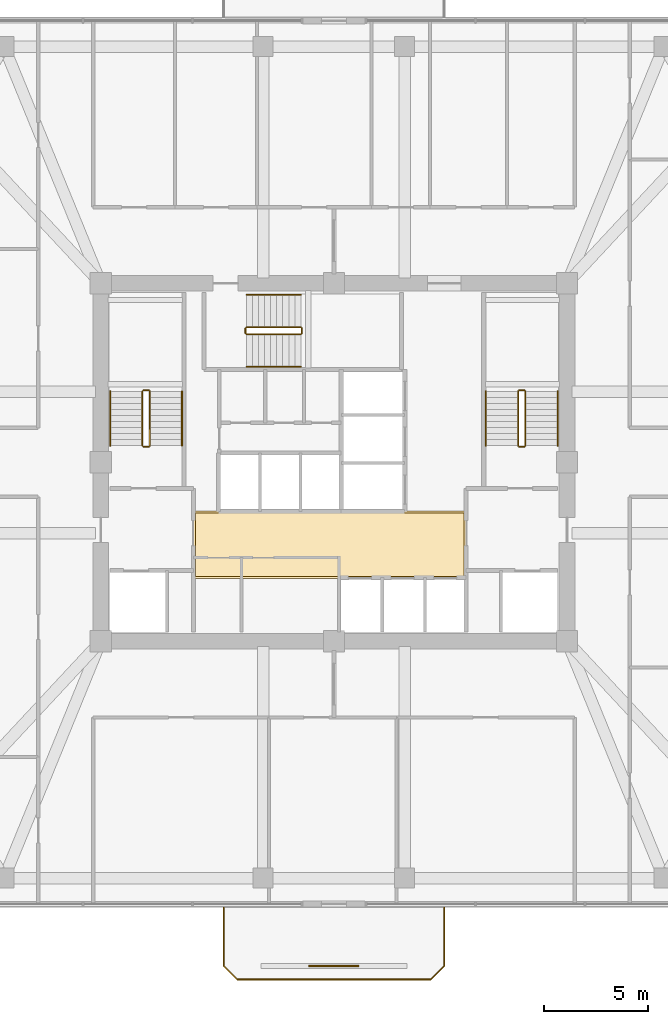
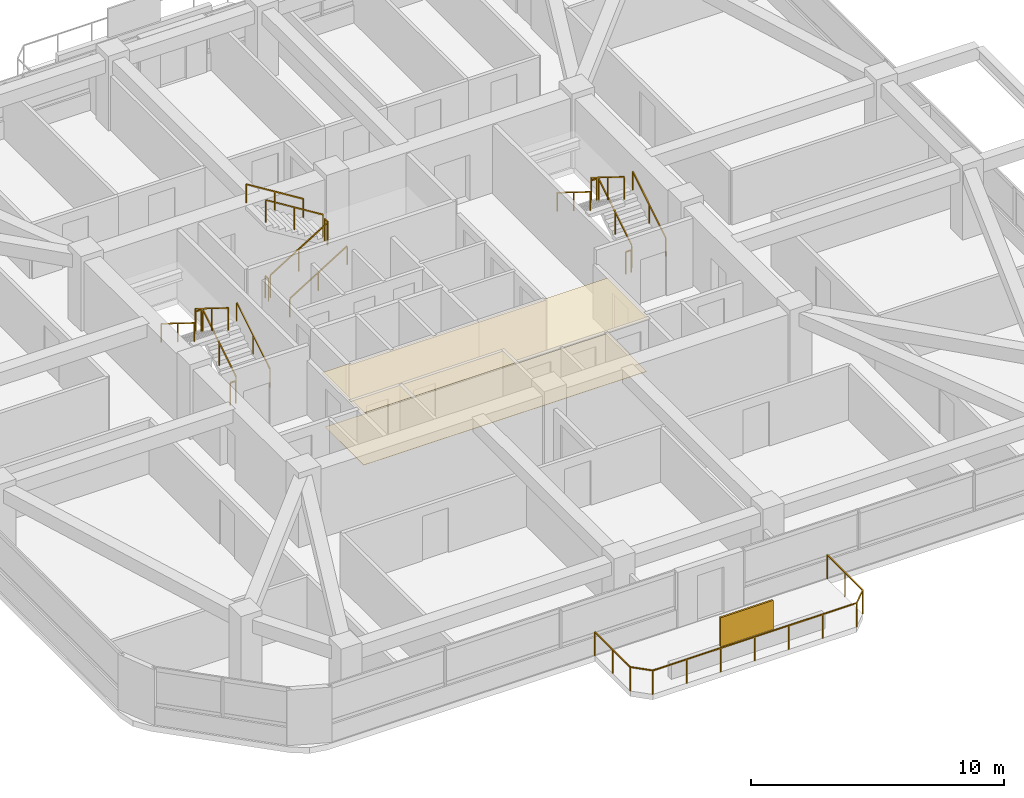
# One storey, part 11 of 12: 19 railings, 2 coverings, 1 shading device.
"""IFC4 building model written with IfcOpenShell, lengths in metres."""

from ifc_helpers import new_model, si_unit, derived_unit, direction, frame, origin, origin_2d, place, context, subcontext, project, spatial, polyline, rectangle, outline, extrude, material, layer, layer_set, type_object, element, save


model = new_model("IFC4")

# Units and contexts
model_context = context("Model", 3, precision=1e-05, world=origin(), true_north=direction((0.0, 1.0)))
body_context = subcontext(model_context, "Body", "Model", "MODEL_VIEW")
ifc_project = project(units=[si_unit("LENGTHUNIT", "METRE"), si_unit("AREAUNIT", "SQUARE_METRE"), si_unit("VOLUMEUNIT", "CUBIC_METRE"), si_unit("PLANEANGLEUNIT", "RADIAN"), si_unit("MASSUNIT", "GRAM", prefix="KILO"), derived_unit("THERMALTRANSMITTANCEUNIT", [(si_unit("POWERUNIT", "WATT"), 1), (si_unit("LENGTHUNIT", "METRE"), -2), (si_unit("THERMODYNAMICTEMPERATUREUNIT", "KELVIN"), -1)])], contexts=[model_context])

# Site, building, storey
site_placement = place(None, origin())
site = spatial("IfcSite", under=ifc_project, at=site_placement, CompositionType="ELEMENT")
building_placement = place(site_placement, origin())
building = spatial("IfcBuilding", under=site, at=building_placement, Name="Koralith Skygarden Medical Center", CompositionType="ELEMENT")
storey_placement = place(building_placement, frame((0.0, 0.0, 152.820068359375)))
storey = spatial("IfcBuildingStorey", under=building, at=storey_placement, Name="L39", CompositionType="ELEMENT", Elevation=152.820068359375)

# Covering
ifc_material_1 = material(Name="Acoustic Mineral Tile")
ifc_layer_1 = layer(ifc_material_1, 0.02001953125)
ifc_layer_set_1 = layer_set([ifc_layer_1], Name="Acoustic Mineral Tile")
covering_type_1 = type_object("IfcCoveringType", Name="Acoustic Hygienic Mineral Ceiling 20", PredefinedType="CEILING", material=ifc_layer_set_1)
covering_1_placement = place(storey_placement, frame((0.0, 0.0, 2.5849609375)))
element("IfcCovering", 1, at=covering_1_placement, inside=storey, type_object=covering_type_1, Name="L39 Core Lobby Acoustic Ceiling", PredefinedType="CEILING", context=body_context, shape_type="SweptSolid", body=[
    extrude(outline(polyline([(30.25, 20.320068359375), (43.35009765625, 20.320068359375), (43.35009765625, 23.56005859375), (30.25, 23.56005859375), (30.25, 20.320068359375)])), origin(), (0.0, 0.0, 1.0), 0.02001953125),
])

# Railing
ifc_material_2 = material(Name="Steel ASTM A500 Grade C", Category="steel")
railing_type_1 = type_object("IfcRailingType", Name="Outdoor Terrace & Balcony Safety Guardrail 1180", PredefinedType="GUARDRAIL", material=ifc_material_2)
railing_1_placement = place(storey_placement, frame((31.699951171875, 4.5, 0.0)))
element("IfcRailing", 2, at=railing_1_placement, inside=storey, type_object=railing_type_1, Name="L39 S Balcony Perimeter Guardrail", PredefinedType="GUARDRAIL", context=body_context, shape_type="SweptSolid", body=[
    extrude(rectangle(XDim=0.050048828125, YDim=0.050048828125, at=origin_2d()), frame((0.0, -0.001953125, 1.15478515625), z_axis=(0.0, -1.0, 0.0), x_axis=(1.0, 0.0, 0.0)), (0.0, 0.0, 1.0), 2.796142578125),
    extrude(rectangle(XDim=0.050048828125, YDim=0.050048828125, at=origin_2d()), frame((0.00146484375, -2.801513671875, 1.15478515625), z_axis=(0.707239558722, -0.706973978714, 0.0), x_axis=(0.706973978714, 0.707239558722, 0.0)), (0.0, 0.0, 1.0), 0.915283203125),
    extrude(rectangle(XDim=0.050048828125, YDim=0.050048828125, at=origin_2d()), frame((0.652099609375, -3.449951171875, 1.15478515625), z_axis=(1.0, 0.0, 0.0), x_axis=(0.0, 1.0, 0.0)), (0.0, 0.0, 1.0), 9.2958984375),
    extrude(rectangle(XDim=0.050048828125, YDim=0.050048828125, at=origin_2d()), frame((9.951416015625, -3.448486328125, 1.15478515625), z_axis=(0.707239558722, 0.706973978714, 0.0), x_axis=(-0.706973978714, 0.707239558722, 0.0)), (0.0, 0.0, 1.0), 0.915283203125),
    extrude(rectangle(XDim=0.050048828125, YDim=0.050048828125, at=origin_2d()), frame((10.60009765625, -2.798095703125, 1.15478515625), z_axis=(0.0, 1.0, 0.0), x_axis=(-1.0, 0.0, 0.0)), (0.0, 0.0, 1.0), 2.796142578125),
    extrude(rectangle(XDim=0.0419921875, YDim=0.0419921875, at=origin_2d()), origin(), (0.0, 0.0, 1.0), 1.1279296875),
    extrude(rectangle(XDim=0.0419921875, YDim=0.0419921875, at=origin_2d()), frame((0.0, -1.39990234375, 0.0)), (0.0, 0.0, 1.0), 1.1279296875),
    extrude(rectangle(XDim=0.0419921875, YDim=0.0419921875, at=origin_2d()), frame((0.0, -2.800048828125, 0.0)), (0.0, 0.0, 1.0), 1.1279296875),
    extrude(rectangle(XDim=0.0419921875, YDim=0.0419921875, at=origin_2d()), frame((0.650146484375, -3.449951171875, 0.0)), (0.0, 0.0, 1.0), 1.1279296875),
    extrude(rectangle(XDim=0.0419921875, YDim=0.0419921875, at=origin_2d()), frame((2.2001953125, -3.449951171875, 0.0)), (0.0, 0.0, 1.0), 1.1279296875),
    extrude(rectangle(XDim=0.0419921875, YDim=0.0419921875, at=origin_2d()), frame((3.75, -3.449951171875, 0.0)), (0.0, 0.0, 1.0), 1.1279296875),
    extrude(rectangle(XDim=0.0419921875, YDim=0.0419921875, at=origin_2d()), frame((5.300048828125, -3.449951171875, 0.0)), (0.0, 0.0, 1.0), 1.1279296875),
    extrude(rectangle(XDim=0.0419921875, YDim=0.0419921875, at=origin_2d()), frame((6.85009765625, -3.449951171875, 0.0)), (0.0, 0.0, 1.0), 1.1279296875),
    extrude(rectangle(XDim=0.0419921875, YDim=0.0419921875, at=origin_2d()), frame((8.39990234375, -3.449951171875, 0.0)), (0.0, 0.0, 1.0), 1.1279296875),
    extrude(rectangle(XDim=0.0419921875, YDim=0.0419921875, at=origin_2d()), frame((9.949951171875, -3.449951171875, 0.0)), (0.0, 0.0, 1.0), 1.1279296875),
    extrude(rectangle(XDim=0.0419921875, YDim=0.0419921875, at=origin_2d()), frame((10.60009765625, -2.800048828125, 0.0)), (0.0, 0.0, 1.0), 1.1279296875),
    extrude(rectangle(XDim=0.0419921875, YDim=0.0419921875, at=origin_2d()), frame((10.60009765625, -1.39990234375, 0.0)), (0.0, 0.0, 1.0), 1.1279296875),
    extrude(rectangle(XDim=0.0419921875, YDim=0.0419921875, at=origin_2d()), frame((10.60009765625, 0.0, 0.0)), (0.0, 0.0, 1.0), 1.1279296875),
])

# Shading device
ifc_material_3 = material(Name="Aluminium 6063-T6", Category="aluminium")
ifc_layer_2 = layer(ifc_material_3, 0.080078125)
ifc_layer_set_2 = layer_set([ifc_layer_2], Name="Aluminium 6063-T6")
shading_device_type = type_object("IfcShadingDeviceType", Name="Perforated Biophilic Balcony Trellis Screen", PredefinedType="USERDEFINED", material=ifc_layer_set_2)
shading_device_placement = place(storey_placement, frame((37.0, 1.699951171875, 0.719970703125), z_axis=(0.0, 0.0, 1.0), x_axis=(1.0, 0.0, 0.0)))
element("IfcShadingDevice", 3, at=shading_device_placement, inside=storey, type_object=shading_device_type, Name="L39 S Biophilic Balcony Trellis Screen", ObjectType="HURRICANE SCREEN", PredefinedType="USERDEFINED", context=body_context, shape_type="SweptSolid", body=[
    extrude(rectangle(XDim=2.39990234375, YDim=0.080078125, at=origin_2d()), origin(), (0.0, 0.0, 1.0), 1.39990234375),
])

# Covering
ifc_material_4 = material(Name="Medical Terrazzo Flooring")
ifc_layer_3 = layer(ifc_material_4, 0.014892578125)
ifc_layer_set_3 = layer_set([ifc_layer_3], Name="Medical Terrazzo Flooring")
covering_type_2 = type_object("IfcCoveringType", Name="Seamless Antimicrobial Terrazzo Flooring 15", PredefinedType="FLOORING", material=ifc_layer_set_3)
covering_2_placement = place(storey_placement, origin())
element("IfcCovering", 4, at=covering_2_placement, inside=storey, type_object=covering_type_2, Name="L39 Core Lobby Terrazzo Flooring", PredefinedType="FLOORING", context=body_context, shape_type="SweptSolid", body=[
    extrude(outline(polyline([(30.35009765625, 20.419921875), (43.25, 20.419921875), (43.25, 23.4599609375), (30.35009765625, 23.4599609375), (30.35009765625, 20.419921875)])), origin(), (0.0, 0.0, 1.0), 0.014892578125),
])

# Railings
railing_type_2 = type_object("IfcRailingType", Name="Stair Flight Tubular Handrail 920", PredefinedType="HANDRAIL", material=ifc_material_2)
railing_2_placement = place(storey_placement, frame((29.699951171875, 26.699951171875, 0.179931640625)))
element("IfcRailing", 5, at=railing_2_placement, inside=storey, type_object=railing_type_2, Name="L39 ST1 stair handrail 1", PredefinedType="HANDRAIL", context=body_context, shape_type="SweptSolid", body=[
    extrude(rectangle(XDim=0.050048828125, YDim=0.050048828125, at=origin_2d()), frame((0.0, 0.001708984375, 0.89599609375), z_axis=(0.0, 0.849632798774, 0.527374731332), x_axis=(-1.0, 0.0, 0.0)), (0.0, 0.0, 1.0), 3.068115234375),
    extrude(rectangle(XDim=0.0419921875, YDim=0.0419921875, at=origin_2d()), origin(), (0.0, 0.0, 1.0), 0.867919921875),
    extrude(rectangle(XDim=0.0419921875, YDim=0.0419921875, at=origin_2d()), frame((0.0, 1.30517578125, 0.81005859375)), (0.0, 0.0, 1.0), 0.867919921875),
    extrude(rectangle(XDim=0.0419921875, YDim=0.0419921875, at=origin_2d()), frame((0.0, 2.610107421875, 1.6201171875)), (0.0, 0.0, 1.0), 0.867919921875),
])
railing_3_placement = place(storey_placement, frame((26.25, 29.31005859375, 1.97998046875)))
element("IfcRailing", 6, at=railing_3_placement, inside=storey, type_object=railing_type_2, Name="L39 ST1 stair handrail 2", PredefinedType="HANDRAIL", context=body_context, shape_type="SweptSolid", body=[
    extrude(rectangle(XDim=0.050048828125, YDim=0.050048828125, at=origin_2d()), frame((0.0, -0.001708984375, 0.89599609375), z_axis=(0.0, -0.849668407637, 0.527317358963), x_axis=(1.0, 0.0, 0.0)), (0.0, 0.0, 1.0), 3.06787109375),
    extrude(rectangle(XDim=0.0419921875, YDim=0.0419921875, at=origin_2d()), origin(), (0.0, 0.0, 1.0), 0.867919921875),
    extrude(rectangle(XDim=0.0419921875, YDim=0.0419921875, at=origin_2d()), frame((0.0, -1.30517578125, 0.81005859375)), (0.0, 0.0, 1.0), 0.867919921875),
    extrude(rectangle(XDim=0.0419921875, YDim=0.0419921875, at=origin_2d()), frame((0.0, -2.610107421875, 1.619873046875)), (0.0, 0.0, 1.0), 0.867919921875),
])
railing_4_placement = place(storey_placement, frame((47.75, 26.699951171875, 0.179931640625)))
element("IfcRailing", 7, at=railing_4_placement, inside=storey, type_object=railing_type_2, Name="L39 ST2 stair handrail 1", PredefinedType="HANDRAIL", context=body_context, shape_type="SweptSolid", body=[
    extrude(rectangle(XDim=0.050048828125, YDim=0.050048828125, at=origin_2d()), frame((0.0, 0.001708984375, 0.89599609375), z_axis=(0.0, 0.849632798774, 0.527374731332), x_axis=(-1.0, 0.0, 0.0)), (0.0, 0.0, 1.0), 3.068115234375),
    extrude(rectangle(XDim=0.0419921875, YDim=0.0419921875, at=origin_2d()), origin(), (0.0, 0.0, 1.0), 0.867919921875),
    extrude(rectangle(XDim=0.0419921875, YDim=0.0419921875, at=origin_2d()), frame((0.0, 1.30517578125, 0.81005859375)), (0.0, 0.0, 1.0), 0.867919921875),
    extrude(rectangle(XDim=0.0419921875, YDim=0.0419921875, at=origin_2d()), frame((0.0, 2.610107421875, 1.6201171875)), (0.0, 0.0, 1.0), 0.867919921875),
])
railing_5_placement = place(storey_placement, frame((44.300048828125, 29.31005859375, 1.97998046875)))
element("IfcRailing", 8, at=railing_5_placement, inside=storey, type_object=railing_type_2, Name="L39 ST2 stair handrail 2", PredefinedType="HANDRAIL", context=body_context, shape_type="SweptSolid", body=[
    extrude(rectangle(XDim=0.050048828125, YDim=0.050048828125, at=origin_2d()), frame((0.0, -0.001708984375, 0.89599609375), z_axis=(0.0, -0.849668407637, 0.527317358963), x_axis=(1.0, 0.0, 0.0)), (0.0, 0.0, 1.0), 3.06787109375),
    extrude(rectangle(XDim=0.0419921875, YDim=0.0419921875, at=origin_2d()), origin(), (0.0, 0.0, 1.0), 0.867919921875),
    extrude(rectangle(XDim=0.0419921875, YDim=0.0419921875, at=origin_2d()), frame((0.0, -1.30517578125, 0.81005859375)), (0.0, 0.0, 1.0), 0.867919921875),
    extrude(rectangle(XDim=0.0419921875, YDim=0.0419921875, at=origin_2d()), frame((0.0, -2.610107421875, 1.619873046875)), (0.0, 0.0, 1.0), 0.867919921875),
])
railing_6_placement = place(storey_placement, frame((32.800048828125, 30.5, 0.179931640625)))
element("IfcRailing", 9, at=railing_6_placement, inside=storey, type_object=railing_type_2, Name="L39 ST3 stair handrail 1", PredefinedType="HANDRAIL", context=body_context, shape_type="SweptSolid", body=[
    extrude(rectangle(XDim=0.050048828125, YDim=0.050048828125, at=origin_2d()), frame((0.001708984375, 0.0, 0.89599609375), z_axis=(0.849610693518, 0.0, 0.52741034258), x_axis=(0.0, 1.0, 0.0)), (0.0, 0.0, 1.0), 3.06787109375),
    extrude(rectangle(XDim=0.0419921875, YDim=0.0419921875, at=origin_2d()), origin(), (0.0, 0.0, 1.0), 0.867919921875),
    extrude(rectangle(XDim=0.0419921875, YDim=0.0419921875, at=origin_2d()), frame((1.304931640625, 0.0, 0.81005859375)), (0.0, 0.0, 1.0), 0.867919921875),
    extrude(rectangle(XDim=0.0419921875, YDim=0.0419921875, at=origin_2d()), frame((2.60986328125, 0.0, 1.6201171875)), (0.0, 0.0, 1.0), 0.867919921875),
])
railing_7_placement = place(storey_placement, frame((35.409912109375, 33.949951171875, 1.97998046875)))
element("IfcRailing", 10, at=railing_7_placement, inside=storey, type_object=railing_type_2, Name="L39 ST3 stair handrail 2", PredefinedType="HANDRAIL", context=body_context, shape_type="SweptSolid", body=[
    extrude(rectangle(XDim=0.050048828125, YDim=0.050048828125, at=origin_2d()), frame((-0.001708984375, 0.0, 0.89599609375), z_axis=(-0.849646306263, 0.0, 0.527352969322), x_axis=(0.0, -1.0, 0.0)), (0.0, 0.0, 1.0), 3.067626953125),
    extrude(rectangle(XDim=0.0419921875, YDim=0.0419921875, at=origin_2d()), origin(), (0.0, 0.0, 1.0), 0.867919921875),
    extrude(rectangle(XDim=0.0419921875, YDim=0.0419921875, at=origin_2d()), frame((-1.304931640625, 0.0, 0.81005859375)), (0.0, 0.0, 1.0), 0.867919921875),
    extrude(rectangle(XDim=0.0419921875, YDim=0.0419921875, at=origin_2d()), frame((-2.60986328125, 0.0, 1.619873046875)), (0.0, 0.0, 1.0), 0.867919921875),
])
railing_type_3 = type_object("IfcRailingType", Name="Stair Well Safety Guardrail 1100", PredefinedType="GUARDRAIL", material=ifc_material_2)
railing_8_placement = place(storey_placement, frame((28.14990234375, 26.699951171875, 0.179931640625)))
element("IfcRailing", 11, at=railing_8_placement, inside=storey, type_object=railing_type_3, Name="L39 ST1 stair guard 1", PredefinedType="GUARDRAIL", context=body_context, shape_type="SweptSolid", body=[
    extrude(rectangle(XDim=0.050048828125, YDim=0.050048828125, at=origin_2d()), frame((0.0, 0.001708984375, 1.076171875), z_axis=(0.0, 0.849632798774, 0.527374731332), x_axis=(-1.0, 0.0, 0.0)), (0.0, 0.0, 1.0), 3.068115234375),
    extrude(rectangle(XDim=0.0419921875, YDim=0.0419921875, at=origin_2d()), origin(), (0.0, 0.0, 1.0), 1.048095703125),
    extrude(rectangle(XDim=0.0419921875, YDim=0.0419921875, at=origin_2d()), frame((0.0, 1.30517578125, 0.81005859375)), (0.0, 0.0, 1.0), 1.048095703125),
    extrude(rectangle(XDim=0.0419921875, YDim=0.0419921875, at=origin_2d()), frame((0.0, 2.610107421875, 1.6201171875)), (0.0, 0.0, 1.0), 1.048095703125),
])
railing_9_placement = place(storey_placement, frame((28.10009765625, 29.360107421875, 1.800048828125)))
element("IfcRailing", 12, at=railing_9_placement, inside=storey, type_object=railing_type_3, Name="L39 ST1 stair guard 2", PredefinedType="GUARDRAIL", context=body_context, shape_type="SweptSolid", body=[
    extrude(rectangle(XDim=0.050048828125, YDim=0.050048828125, at=origin_2d()), frame((-0.001953125, 0.0, 1.0751953125), z_axis=(-1.0, 0.0, 0.0), x_axis=(0.0, -1.0, 0.0)), (0.0, 0.0, 1.0), 0.24609375),
    extrude(rectangle(XDim=0.0419921875, YDim=0.0419921875, at=origin_2d()), origin(), (0.0, 0.0, 1.0), 1.048095703125),
    extrude(rectangle(XDim=0.0419921875, YDim=0.0419921875, at=origin_2d()), frame((-0.25, 0.0, 0.0)), (0.0, 0.0, 1.0), 1.048095703125),
])
railing_10_placement = place(storey_placement, frame((27.800048828125, 29.31005859375, 1.97998046875)))
element("IfcRailing", 13, at=railing_10_placement, inside=storey, type_object=railing_type_3, Name="L39 ST1 stair guard 3", PredefinedType="GUARDRAIL", context=body_context, shape_type="SweptSolid", body=[
    extrude(rectangle(XDim=0.050048828125, YDim=0.050048828125, at=origin_2d()), frame((0.0, -0.001708984375, 1.076171875), z_axis=(0.0, -0.849668407637, 0.527317358963), x_axis=(1.0, 0.0, 0.0)), (0.0, 0.0, 1.0), 3.06787109375),
    extrude(rectangle(XDim=0.0419921875, YDim=0.0419921875, at=origin_2d()), origin(), (0.0, 0.0, 1.0), 1.048095703125),
    extrude(rectangle(XDim=0.0419921875, YDim=0.0419921875, at=origin_2d()), frame((0.0, -1.30517578125, 0.81005859375)), (0.0, 0.0, 1.0), 1.048095703125),
    extrude(rectangle(XDim=0.0419921875, YDim=0.0419921875, at=origin_2d()), frame((0.0, -2.610107421875, 1.619873046875)), (0.0, 0.0, 1.0), 1.048095703125),
])
railing_11_placement = place(storey_placement, frame((28.10009765625, 26.64990234375, 0.0)))
element("IfcRailing", 14, at=railing_11_placement, inside=storey, type_object=railing_type_3, Name="L39 ST1 stair guard 4", PredefinedType="GUARDRAIL", context=body_context, shape_type="SweptSolid", body=[
    extrude(rectangle(XDim=0.050048828125, YDim=0.050048828125, at=origin_2d()), frame((-0.001953125, 0.0, 1.0751953125), z_axis=(-1.0, 0.0, 0.0), x_axis=(0.0, -1.0, 0.0)), (0.0, 0.0, 1.0), 0.24609375),
    extrude(rectangle(XDim=0.0419921875, YDim=0.0419921875, at=origin_2d()), origin(), (0.0, 0.0, 1.0), 1.048095703125),
    extrude(rectangle(XDim=0.0419921875, YDim=0.0419921875, at=origin_2d()), frame((-0.25, 0.0, 0.0)), (0.0, 0.0, 1.0), 1.048095703125),
])
railing_12_placement = place(storey_placement, frame((46.199951171875, 26.699951171875, 0.179931640625)))
element("IfcRailing", 15, at=railing_12_placement, inside=storey, type_object=railing_type_3, Name="L39 ST2 stair guard 1", PredefinedType="GUARDRAIL", context=body_context, shape_type="SweptSolid", body=[
    extrude(rectangle(XDim=0.050048828125, YDim=0.050048828125, at=origin_2d()), frame((0.0, 0.001708984375, 1.076171875), z_axis=(0.0, 0.849632798774, 0.527374731332), x_axis=(-1.0, 0.0, 0.0)), (0.0, 0.0, 1.0), 3.068115234375),
    extrude(rectangle(XDim=0.0419921875, YDim=0.0419921875, at=origin_2d()), origin(), (0.0, 0.0, 1.0), 1.048095703125),
    extrude(rectangle(XDim=0.0419921875, YDim=0.0419921875, at=origin_2d()), frame((0.0, 1.30517578125, 0.81005859375)), (0.0, 0.0, 1.0), 1.048095703125),
    extrude(rectangle(XDim=0.0419921875, YDim=0.0419921875, at=origin_2d()), frame((0.0, 2.610107421875, 1.6201171875)), (0.0, 0.0, 1.0), 1.048095703125),
])
railing_13_placement = place(storey_placement, frame((46.14990234375, 29.360107421875, 1.800048828125)))
element("IfcRailing", 16, at=railing_13_placement, inside=storey, type_object=railing_type_3, Name="L39 ST2 stair guard 2", PredefinedType="GUARDRAIL", context=body_context, shape_type="SweptSolid", body=[
    extrude(rectangle(XDim=0.050048828125, YDim=0.050048828125, at=origin_2d()), frame((-0.001953125, 0.0, 1.0751953125), z_axis=(-1.0, 0.0, 0.0), x_axis=(0.0, -1.0, 0.0)), (0.0, 0.0, 1.0), 0.24609375),
    extrude(rectangle(XDim=0.0419921875, YDim=0.0419921875, at=origin_2d()), origin(), (0.0, 0.0, 1.0), 1.048095703125),
    extrude(rectangle(XDim=0.0419921875, YDim=0.0419921875, at=origin_2d()), frame((-0.25, 0.0, 0.0)), (0.0, 0.0, 1.0), 1.048095703125),
])
railing_14_placement = place(storey_placement, frame((45.85009765625, 29.31005859375, 1.97998046875)))
element("IfcRailing", 17, at=railing_14_placement, inside=storey, type_object=railing_type_3, Name="L39 ST2 stair guard 3", PredefinedType="GUARDRAIL", context=body_context, shape_type="SweptSolid", body=[
    extrude(rectangle(XDim=0.050048828125, YDim=0.050048828125, at=origin_2d()), frame((0.0, -0.001708984375, 1.076171875), z_axis=(0.0, -0.849668407637, 0.527317358963), x_axis=(1.0, 0.0, 0.0)), (0.0, 0.0, 1.0), 3.06787109375),
    extrude(rectangle(XDim=0.0419921875, YDim=0.0419921875, at=origin_2d()), origin(), (0.0, 0.0, 1.0), 1.048095703125),
    extrude(rectangle(XDim=0.0419921875, YDim=0.0419921875, at=origin_2d()), frame((0.0, -1.30517578125, 0.81005859375)), (0.0, 0.0, 1.0), 1.048095703125),
    extrude(rectangle(XDim=0.0419921875, YDim=0.0419921875, at=origin_2d()), frame((0.0, -2.610107421875, 1.619873046875)), (0.0, 0.0, 1.0), 1.048095703125),
])
railing_15_placement = place(storey_placement, frame((46.14990234375, 26.64990234375, 0.0)))
element("IfcRailing", 18, at=railing_15_placement, inside=storey, type_object=railing_type_3, Name="L39 ST2 stair guard 4", PredefinedType="GUARDRAIL", context=body_context, shape_type="SweptSolid", body=[
    extrude(rectangle(XDim=0.050048828125, YDim=0.050048828125, at=origin_2d()), frame((-0.001953125, 0.0, 1.0751953125), z_axis=(-1.0, 0.0, 0.0), x_axis=(0.0, -1.0, 0.0)), (0.0, 0.0, 1.0), 0.24609375),
    extrude(rectangle(XDim=0.0419921875, YDim=0.0419921875, at=origin_2d()), origin(), (0.0, 0.0, 1.0), 1.048095703125),
    extrude(rectangle(XDim=0.0419921875, YDim=0.0419921875, at=origin_2d()), frame((-0.25, 0.0, 0.0)), (0.0, 0.0, 1.0), 1.048095703125),
])
railing_16_placement = place(storey_placement, frame((32.800048828125, 32.050048828125, 0.179931640625)))
element("IfcRailing", 19, at=railing_16_placement, inside=storey, type_object=railing_type_3, Name="L39 ST3 stair guard 1", PredefinedType="GUARDRAIL", context=body_context, shape_type="SweptSolid", body=[
    extrude(rectangle(XDim=0.050048828125, YDim=0.050048828125, at=origin_2d()), frame((0.001708984375, 0.0, 1.076171875), z_axis=(0.849610693518, 0.0, 0.52741034258), x_axis=(0.0, 1.0, 0.0)), (0.0, 0.0, 1.0), 3.06787109375),
    extrude(rectangle(XDim=0.0419921875, YDim=0.0419921875, at=origin_2d()), origin(), (0.0, 0.0, 1.0), 1.048095703125),
    extrude(rectangle(XDim=0.0419921875, YDim=0.0419921875, at=origin_2d()), frame((1.304931640625, 0.0, 0.81005859375)), (0.0, 0.0, 1.0), 1.048095703125),
    extrude(rectangle(XDim=0.0419921875, YDim=0.0419921875, at=origin_2d()), frame((2.60986328125, 0.0, 1.6201171875)), (0.0, 0.0, 1.0), 1.048095703125),
])
railing_17_placement = place(storey_placement, frame((35.4599609375, 32.10009765625, 1.800048828125)))
element("IfcRailing", 20, at=railing_17_placement, inside=storey, type_object=railing_type_3, Name="L39 ST3 stair guard 2", PredefinedType="GUARDRAIL", context=body_context, shape_type="SweptSolid", body=[
    extrude(rectangle(XDim=0.050048828125, YDim=0.050048828125, at=origin_2d()), frame((0.0, 0.001953125, 1.0751953125), z_axis=(0.0, 1.0, 0.0), x_axis=(-1.0, 0.0, 0.0)), (0.0, 0.0, 1.0), 0.24609375),
    extrude(rectangle(XDim=0.0419921875, YDim=0.0419921875, at=origin_2d()), origin(), (0.0, 0.0, 1.0), 1.048095703125),
    extrude(rectangle(XDim=0.0419921875, YDim=0.0419921875, at=origin_2d()), frame((0.0, 0.25, 0.0)), (0.0, 0.0, 1.0), 1.048095703125),
])
railing_18_placement = place(storey_placement, frame((35.409912109375, 32.39990234375, 1.97998046875)))
element("IfcRailing", 21, at=railing_18_placement, inside=storey, type_object=railing_type_3, Name="L39 ST3 stair guard 3", PredefinedType="GUARDRAIL", context=body_context, shape_type="SweptSolid", body=[
    extrude(rectangle(XDim=0.050048828125, YDim=0.050048828125, at=origin_2d()), frame((-0.001708984375, 0.0, 1.076171875), z_axis=(-0.849646306263, 0.0, 0.527352969322), x_axis=(0.0, -1.0, 0.0)), (0.0, 0.0, 1.0), 3.067626953125),
    extrude(rectangle(XDim=0.0419921875, YDim=0.0419921875, at=origin_2d()), origin(), (0.0, 0.0, 1.0), 1.048095703125),
    extrude(rectangle(XDim=0.0419921875, YDim=0.0419921875, at=origin_2d()), frame((-1.304931640625, 0.0, 0.81005859375)), (0.0, 0.0, 1.0), 1.048095703125),
    extrude(rectangle(XDim=0.0419921875, YDim=0.0419921875, at=origin_2d()), frame((-2.60986328125, 0.0, 1.619873046875)), (0.0, 0.0, 1.0), 1.048095703125),
])
railing_19_placement = place(storey_placement, frame((32.75, 32.10009765625, 0.0)))
element("IfcRailing", 22, at=railing_19_placement, inside=storey, type_object=railing_type_3, Name="L39 ST3 stair guard 4", PredefinedType="GUARDRAIL", context=body_context, shape_type="SweptSolid", body=[
    extrude(rectangle(XDim=0.050048828125, YDim=0.050048828125, at=origin_2d()), frame((0.0, 0.001953125, 1.0751953125), z_axis=(0.0, 1.0, 0.0), x_axis=(-1.0, 0.0, 0.0)), (0.0, 0.0, 1.0), 0.24609375),
    extrude(rectangle(XDim=0.0419921875, YDim=0.0419921875, at=origin_2d()), origin(), (0.0, 0.0, 1.0), 1.048095703125),
    extrude(rectangle(XDim=0.0419921875, YDim=0.0419921875, at=origin_2d()), frame((0.0, 0.25, 0.0)), (0.0, 0.0, 1.0), 1.048095703125),
])

save(model, "model.ifc")
